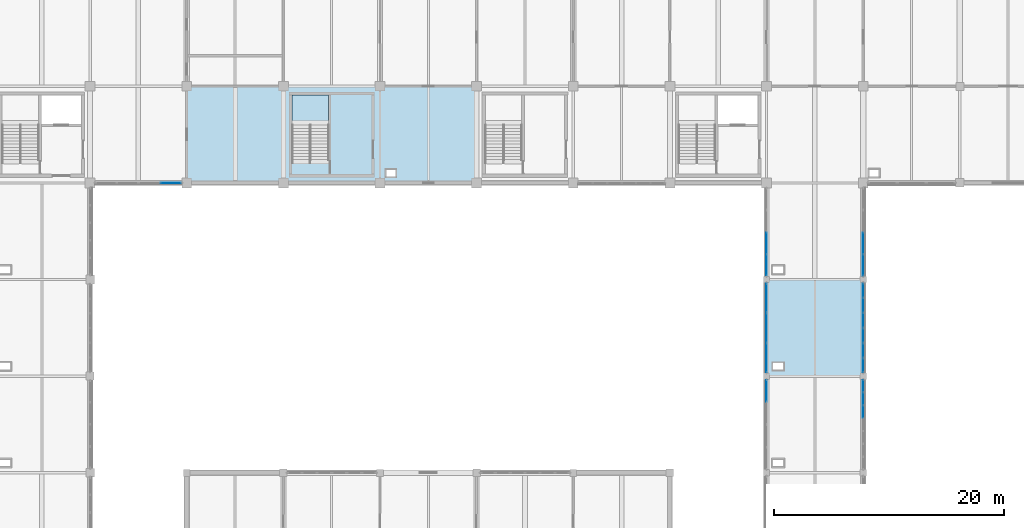
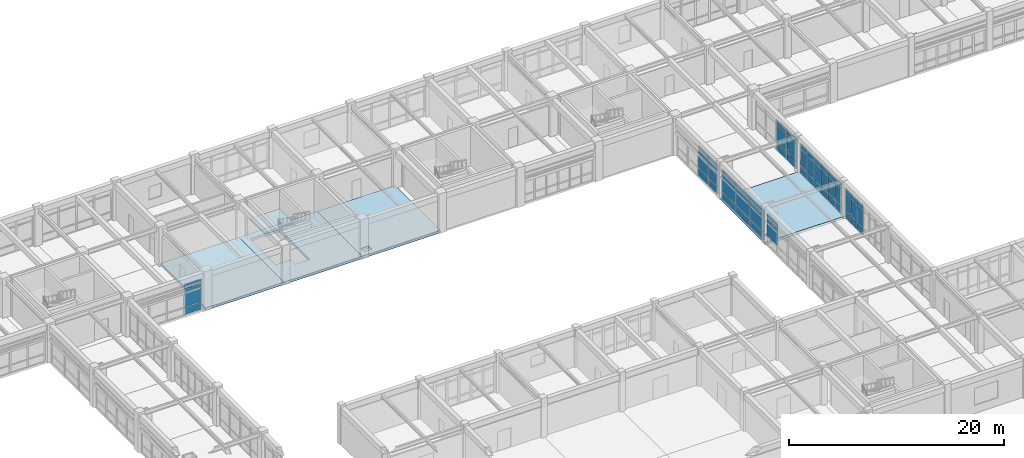
# One storey, part 51 of 78: 53 plates, 5 slabs, 8 elements without a shape of their own.
"""IFC4 building model written with IfcOpenShell, lengths in metres."""

from ifc_helpers import new_model, si_unit, direction, frame, origin, origin_2d, place, context, subcontext, project, spatial, polyline, rectangle, outline, extrude, material, layer, layer_set, type_object, element, aggregate, save


model = new_model("IFC4")

# Units and contexts
model_context = context("Model", 3, precision=1e-05, world=origin(), true_north=direction((0.0, 1.0)))
body_context = subcontext(model_context, "Body", "Model", "MODEL_VIEW")
ifc_project = project(units=[si_unit("LENGTHUNIT", "METRE"), si_unit("AREAUNIT", "SQUARE_METRE"), si_unit("VOLUMEUNIT", "CUBIC_METRE"), si_unit("PLANEANGLEUNIT", "RADIAN"), si_unit("MASSUNIT", "GRAM", prefix="KILO")], contexts=[model_context])

# Site, building, storey
site_placement = place(None, origin())
site = spatial("IfcSite", under=ifc_project, at=site_placement, CompositionType="ELEMENT")
building_placement = place(site_placement, origin())
building = spatial("IfcBuilding", under=site, at=building_placement, Name="Porcellanite Civic Hall", CompositionType="ELEMENT")
storey_placement = place(building_placement, frame((0.0, 0.0, 10.260009765625)))
storey = spatial("IfcBuildingStorey", under=building, at=storey_placement, Name="L02", CompositionType="ELEMENT", Elevation=10.260009765625)

# Curtain wall, plates
ifc_material_1 = material(Name="Anodised aluminium and solar laminated glass", Category="aluminium")
ifc_layer_1 = layer(ifc_material_1, 0.179931640625)
ifc_layer_set_1 = layer_set([ifc_layer_1], Name="Anodised aluminium and solar laminated glass")
curtain_wall_type_1 = type_object("IfcCurtainWallType", Name="CW-SYS04", PredefinedType="NOTDEFINED", material=ifc_layer_set_1)
curtain_wall_1_placement = place(storey_placement, origin())
curtain_wall_1 = element("IfcCurtainWall", 1, at=curtain_wall_1_placement, inside=storey, type_object=curtain_wall_type_1, Name="Curtain wall CW-151", PredefinedType="NOTDEFINED")
ifc_material_2 = material(Name="Cyclone laminated solar-control low-E glass", Category="glass")
ifc_layer_2 = layer(ifc_material_2, 0.02587890625)
ifc_layer_set_2 = layer_set([ifc_layer_2], Name="Cyclone laminated solar-control low-E glass")
plate_type_1 = type_object("IfcPlateType", Name="CWP-02", PredefinedType="CURTAIN_PANEL", material=ifc_layer_set_2)
plate_1_placement = place(storey_placement, frame((65.811767578125, 100.800048828125, 0.054931640625), z_axis=(0.0, 0.0, 1.0), x_axis=(-1.0, 0.0, 0.0)))
plate_1 = element("IfcPlate", 2, at=plate_1_placement, type_object=plate_type_1, Name="CW-151 panel 1.1", PredefinedType="CURTAIN_PANEL", context=body_context, shape_type="SweptSolid", body=[
    extrude(rectangle(XDim=1.7744140625, YDim=0.02587890625, at=origin_2d()), origin(), (0.0, 0.0, 1.0), 0.8173828125),
])
plate_2_placement = place(storey_placement, frame((65.811767578125, 100.800048828125, 0.927490234375), z_axis=(0.0, 0.0, 1.0), x_axis=(-1.0, 0.0, 0.0)))
plate_2 = element("IfcPlate", 3, at=plate_2_placement, type_object=plate_type_1, Name="CW-151 panel 1.2", PredefinedType="CURTAIN_PANEL", context=body_context, shape_type="SweptSolid", body=[
    extrude(rectangle(XDim=1.7744140625, YDim=0.02587890625, at=origin_2d()), origin(), (0.0, 0.0, 1.0), 1.93505859375),
])
plate_3_placement = place(storey_placement, frame((65.811767578125, 100.800048828125, 2.91748046875), z_axis=(0.0, 0.0, 1.0), x_axis=(-1.0, 0.0, 0.0)))
plate_3 = element("IfcPlate", 4, at=plate_3_placement, type_object=plate_type_1, Name="CW-151 panel 1.3", PredefinedType="CURTAIN_PANEL", context=body_context, shape_type="SweptSolid", body=[
    extrude(rectangle(XDim=1.7744140625, YDim=0.02587890625, at=origin_2d()), origin(), (0.0, 0.0, 1.0), 0.5673828125),
])
aggregate(curtain_wall_1, [plate_1, plate_2, plate_3])

ifc_material_3 = material(Name="Anodised aluminium and solar laminated glass", Category="aluminium")
ifc_layer_3 = layer(ifc_material_3, 0.179931640625)
ifc_layer_set_3 = layer_set([ifc_layer_3], Name="Anodised aluminium and solar laminated glass")
curtain_wall_type_2 = type_object("IfcCurtainWallType", Name="CW-SYS06", PredefinedType="NOTDEFINED", material=ifc_layer_set_3)
curtain_wall_2_placement = place(storey_placement, origin())
curtain_wall_2 = element("IfcCurtainWall", 5, at=curtain_wall_2_placement, inside=storey, type_object=curtain_wall_type_2, Name="Curtain wall CW-164", PredefinedType="NOTDEFINED")
ifc_material_4 = material(Name="Cyclone laminated solar-control low-E glass", Category="glass")
ifc_layer_4 = layer(ifc_material_4, 0.031982421875)
ifc_layer_set_4 = layer_set([ifc_layer_4], Name="Cyclone laminated solar-control low-E glass")
plate_type_2 = type_object("IfcPlateType", Name="CWP-05", PredefinedType="CURTAIN_PANEL", material=ifc_layer_set_4)
plate_4_placement = place(storey_placement, frame((117.60009765625, 82.726806640625, 0.925048828125), z_axis=(0.0, 0.0, 1.0), x_axis=(0.0, 1.0, 0.0)))
plate_4 = element("IfcPlate", 6, at=plate_4_placement, type_object=plate_type_2, Name="CW-164 panel 4.2", PredefinedType="CURTAIN_PANEL", context=body_context, shape_type="SweptSolid", body=[
    extrude(rectangle(XDim=1.864501953125, YDim=0.031982421875, at=origin_2d()), origin(), (0.0, 0.0, 1.0), 1.93994140625),
])
plate_5_placement = place(storey_placement, frame((117.60009765625, 82.726806640625, 2.9150390625), z_axis=(0.0, 0.0, 1.0), x_axis=(0.0, 1.0, 0.0)))
plate_5 = element("IfcPlate", 7, at=plate_5_placement, type_object=plate_type_2, Name="CW-164 panel 4.3", PredefinedType="CURTAIN_PANEL", context=body_context, shape_type="SweptSolid", body=[
    extrude(rectangle(XDim=1.864501953125, YDim=0.031982421875, at=origin_2d()), origin(), (0.0, 0.0, 1.0), 0.574951171875),
])
aggregate(curtain_wall_2, [plate_4, plate_5])

ifc_material_5 = material(Name="Anodised aluminium and solar laminated glass", Category="aluminium")
ifc_layer_5 = layer(ifc_material_5, 0.179931640625)
ifc_layer_set_5 = layer_set([ifc_layer_5], Name="Anodised aluminium and solar laminated glass")
curtain_wall_type_3 = type_object("IfcCurtainWallType", Name="CW-SYS07", PredefinedType="NOTDEFINED", material=ifc_layer_set_5)
curtain_wall_3_placement = place(storey_placement, origin())
curtain_wall_3 = element("IfcCurtainWall", 8, at=curtain_wall_3_placement, inside=storey, type_object=curtain_wall_type_3, Name="Curtain wall CW-165", PredefinedType="NOTDEFINED")
ifc_material_6 = material(Name="Cyclone laminated solar-control low-E glass", Category="glass")
ifc_layer_6 = layer(ifc_material_6, 0.033935546875)
ifc_layer_set_6 = layer_set([ifc_layer_6], Name="Cyclone laminated solar-control low-E glass")
plate_type_3 = type_object("IfcPlateType", Name="CWP-06", PredefinedType="CURTAIN_PANEL", material=ifc_layer_set_6)
plate_6_placement = place(storey_placement, frame((126.0, 83.1484375, 0.0498046875), z_axis=(0.0, 0.0, 1.0), x_axis=(0.0, -1.0, 0.0)))
plate_6 = element("IfcPlate", 9, at=plate_6_placement, type_object=plate_type_3, Name="CW-165 panel 1.1", PredefinedType="CURTAIN_PANEL", context=body_context, shape_type="SweptSolid", body=[
    extrude(rectangle(XDim=1.03125, YDim=0.033935546875, at=origin_2d()), origin(), (0.0, 0.0, 1.0), 0.824951171875),
])
plate_7_placement = place(storey_placement, frame((126.0, 83.1484375, 0.925048828125), z_axis=(0.0, 0.0, 1.0), x_axis=(0.0, -1.0, 0.0)))
plate_7 = element("IfcPlate", 10, at=plate_7_placement, type_object=plate_type_3, Name="CW-165 panel 1.2", PredefinedType="CURTAIN_PANEL", context=body_context, shape_type="SweptSolid", body=[
    extrude(rectangle(XDim=1.03125, YDim=0.033935546875, at=origin_2d()), origin(), (0.0, 0.0, 1.0), 1.93994140625),
])
plate_8_placement = place(storey_placement, frame((126.0, 83.1484375, 2.9150390625), z_axis=(0.0, 0.0, 1.0), x_axis=(0.0, -1.0, 0.0)))
plate_8 = element("IfcPlate", 11, at=plate_8_placement, type_object=plate_type_3, Name="CW-165 panel 1.3", PredefinedType="CURTAIN_PANEL", context=body_context, shape_type="SweptSolid", body=[
    extrude(rectangle(XDim=1.03125, YDim=0.033935546875, at=origin_2d()), origin(), (0.0, 0.0, 1.0), 0.574951171875),
])
plate_9_placement = place(storey_placement, frame((126.0, 82.042236328125, 0.0498046875), z_axis=(0.0, 0.0, 1.0), x_axis=(0.0, -1.0, 0.0)))
plate_9 = element("IfcPlate", 12, at=plate_9_placement, type_object=plate_type_3, Name="CW-165 panel 2.1", PredefinedType="CURTAIN_PANEL", context=body_context, shape_type="SweptSolid", body=[
    extrude(rectangle(XDim=1.06103515625, YDim=0.033935546875, at=origin_2d()), origin(), (0.0, 0.0, 1.0), 0.824951171875),
])
plate_10_placement = place(storey_placement, frame((126.0, 82.042236328125, 0.925048828125), z_axis=(0.0, 0.0, 1.0), x_axis=(0.0, -1.0, 0.0)))
plate_10 = element("IfcPlate", 13, at=plate_10_placement, type_object=plate_type_3, Name="CW-165 panel 2.2", PredefinedType="CURTAIN_PANEL", context=body_context, shape_type="SweptSolid", body=[
    extrude(rectangle(XDim=1.06103515625, YDim=0.033935546875, at=origin_2d()), origin(), (0.0, 0.0, 1.0), 1.93994140625),
])
plate_11_placement = place(storey_placement, frame((126.0, 82.042236328125, 2.9150390625), z_axis=(0.0, 0.0, 1.0), x_axis=(0.0, -1.0, 0.0)))
plate_11 = element("IfcPlate", 14, at=plate_11_placement, type_object=plate_type_3, Name="CW-165 panel 2.3", PredefinedType="CURTAIN_PANEL", context=body_context, shape_type="SweptSolid", body=[
    extrude(rectangle(XDim=1.06103515625, YDim=0.033935546875, at=origin_2d()), origin(), (0.0, 0.0, 1.0), 0.574951171875),
])
plate_12_placement = place(storey_placement, frame((126.0, 80.921142578125, 0.0498046875), z_axis=(0.0, 0.0, 1.0), x_axis=(0.0, -1.0, 0.0)))
plate_12 = element("IfcPlate", 15, at=plate_12_placement, type_object=plate_type_3, Name="CW-165 panel 3.1", PredefinedType="CURTAIN_PANEL", context=body_context, shape_type="SweptSolid", body=[
    extrude(rectangle(XDim=1.06103515625, YDim=0.033935546875, at=origin_2d()), origin(), (0.0, 0.0, 1.0), 0.824951171875),
])
plate_13_placement = place(storey_placement, frame((126.0, 80.921142578125, 0.925048828125), z_axis=(0.0, 0.0, 1.0), x_axis=(0.0, -1.0, 0.0)))
plate_13 = element("IfcPlate", 16, at=plate_13_placement, type_object=plate_type_3, Name="CW-165 panel 3.2", PredefinedType="CURTAIN_PANEL", context=body_context, shape_type="SweptSolid", body=[
    extrude(rectangle(XDim=1.06103515625, YDim=0.033935546875, at=origin_2d()), origin(), (0.0, 0.0, 1.0), 1.93994140625),
])
plate_14_placement = place(storey_placement, frame((126.0, 80.921142578125, 2.9150390625), z_axis=(0.0, 0.0, 1.0), x_axis=(0.0, -1.0, 0.0)))
plate_14 = element("IfcPlate", 17, at=plate_14_placement, type_object=plate_type_3, Name="CW-165 panel 3.3", PredefinedType="CURTAIN_PANEL", context=body_context, shape_type="SweptSolid", body=[
    extrude(rectangle(XDim=1.06103515625, YDim=0.033935546875, at=origin_2d()), origin(), (0.0, 0.0, 1.0), 0.574951171875),
])
aggregate(curtain_wall_3, [plate_6, plate_7, plate_8, plate_9, plate_10, plate_11, plate_12, plate_13, plate_14])

ifc_material_7 = material(Name="Anodised aluminium and solar laminated glass", Category="aluminium")
ifc_layer_7 = layer(ifc_material_7, 0.179931640625)
ifc_layer_set_7 = layer_set([ifc_layer_7], Name="Anodised aluminium and solar laminated glass")
curtain_wall_type_4 = type_object("IfcCurtainWallType", Name="CW-SYS08", PredefinedType="NOTDEFINED", material=ifc_layer_set_7)
curtain_wall_4_placement = place(storey_placement, origin())
curtain_wall_4 = element("IfcCurtainWall", 18, at=curtain_wall_4_placement, inside=storey, type_object=curtain_wall_type_4, Name="Curtain wall CW-166", PredefinedType="NOTDEFINED")
ifc_material_8 = material(Name="Cyclone laminated solar-control low-E glass", Category="glass")
ifc_layer_8 = layer(ifc_material_8, 0.035888671875)
ifc_layer_set_8 = layer_set([ifc_layer_8], Name="Cyclone laminated solar-control low-E glass")
plate_type_4 = type_object("IfcPlateType", Name="CWP-07", PredefinedType="CURTAIN_PANEL", material=ifc_layer_set_8)
plate_15_placement = place(storey_placement, frame((117.60009765625, 85.60400390625, 0.070068359375), z_axis=(0.0, 0.0, 1.0), x_axis=(0.0, 1.0, 0.0)))
plate_15 = element("IfcPlate", 19, at=plate_15_placement, type_object=plate_type_4, Name="CW-166 panel 1.1", PredefinedType="CURTAIN_PANEL", context=body_context, shape_type="SweptSolid", body=[
    extrude(rectangle(XDim=2.49609375, YDim=0.035888671875, at=origin_2d()), origin(), (0.0, 0.0, 1.0), 0.794921875),
])
plate_16_placement = place(storey_placement, frame((117.60009765625, 85.60400390625, 0.93505859375), z_axis=(0.0, 0.0, 1.0), x_axis=(0.0, 1.0, 0.0)))
plate_16 = element("IfcPlate", 20, at=plate_16_placement, type_object=plate_type_4, Name="CW-166 panel 1.2", PredefinedType="CURTAIN_PANEL", context=body_context, shape_type="SweptSolid", body=[
    extrude(rectangle(XDim=2.49609375, YDim=0.035888671875, at=origin_2d()), origin(), (0.0, 0.0, 1.0), 1.919921875),
])
plate_17_placement = place(storey_placement, frame((117.60009765625, 85.60400390625, 2.925048828125), z_axis=(0.0, 0.0, 1.0), x_axis=(0.0, 1.0, 0.0)))
plate_17 = element("IfcPlate", 21, at=plate_17_placement, type_object=plate_type_4, Name="CW-166 panel 1.3", PredefinedType="CURTAIN_PANEL", context=body_context, shape_type="SweptSolid", body=[
    extrude(rectangle(XDim=2.49609375, YDim=0.035888671875, at=origin_2d()), origin(), (0.0, 0.0, 1.0), 0.544921875),
])
plate_18_placement = place(storey_placement, frame((117.60009765625, 88.199951171875, 0.070068359375), z_axis=(0.0, 0.0, 1.0), x_axis=(0.0, 1.0, 0.0)))
plate_18 = element("IfcPlate", 22, at=plate_18_placement, type_object=plate_type_4, Name="CW-166 panel 2.1", PredefinedType="CURTAIN_PANEL", context=body_context, shape_type="SweptSolid", body=[
    extrude(rectangle(XDim=2.535888671875, YDim=0.035888671875, at=origin_2d()), origin(), (0.0, 0.0, 1.0), 0.794921875),
])
plate_19_placement = place(storey_placement, frame((117.60009765625, 88.199951171875, 0.93505859375), z_axis=(0.0, 0.0, 1.0), x_axis=(0.0, 1.0, 0.0)))
plate_19 = element("IfcPlate", 23, at=plate_19_placement, type_object=plate_type_4, Name="CW-166 panel 2.2", PredefinedType="CURTAIN_PANEL", context=body_context, shape_type="SweptSolid", body=[
    extrude(rectangle(XDim=2.535888671875, YDim=0.035888671875, at=origin_2d()), origin(), (0.0, 0.0, 1.0), 1.919921875),
])
plate_20_placement = place(storey_placement, frame((117.60009765625, 88.199951171875, 2.925048828125), z_axis=(0.0, 0.0, 1.0), x_axis=(0.0, 1.0, 0.0)))
plate_20 = element("IfcPlate", 24, at=plate_20_placement, type_object=plate_type_4, Name="CW-166 panel 2.3", PredefinedType="CURTAIN_PANEL", context=body_context, shape_type="SweptSolid", body=[
    extrude(rectangle(XDim=2.535888671875, YDim=0.035888671875, at=origin_2d()), origin(), (0.0, 0.0, 1.0), 0.544921875),
])
plate_21_placement = place(storey_placement, frame((117.60009765625, 90.7958984375, 0.070068359375), z_axis=(0.0, 0.0, 1.0), x_axis=(0.0, 1.0, 0.0)))
plate_21 = element("IfcPlate", 25, at=plate_21_placement, type_object=plate_type_4, Name="CW-166 panel 3.1", PredefinedType="CURTAIN_PANEL", context=body_context, shape_type="SweptSolid", body=[
    extrude(rectangle(XDim=2.49609375, YDim=0.035888671875, at=origin_2d()), origin(), (0.0, 0.0, 1.0), 0.794921875),
])
plate_22_placement = place(storey_placement, frame((117.60009765625, 90.7958984375, 0.93505859375), z_axis=(0.0, 0.0, 1.0), x_axis=(0.0, 1.0, 0.0)))
plate_22 = element("IfcPlate", 26, at=plate_22_placement, type_object=plate_type_4, Name="CW-166 panel 3.2", PredefinedType="CURTAIN_PANEL", context=body_context, shape_type="SweptSolid", body=[
    extrude(rectangle(XDim=2.49609375, YDim=0.035888671875, at=origin_2d()), origin(), (0.0, 0.0, 1.0), 1.919921875),
])
plate_23_placement = place(storey_placement, frame((117.60009765625, 90.7958984375, 2.925048828125), z_axis=(0.0, 0.0, 1.0), x_axis=(0.0, 1.0, 0.0)))
plate_23 = element("IfcPlate", 27, at=plate_23_placement, type_object=plate_type_4, Name="CW-166 panel 3.3", PredefinedType="CURTAIN_PANEL", context=body_context, shape_type="SweptSolid", body=[
    extrude(rectangle(XDim=2.49609375, YDim=0.035888671875, at=origin_2d()), origin(), (0.0, 0.0, 1.0), 0.544921875),
])
aggregate(curtain_wall_4, [plate_15, plate_16, plate_17, plate_18, plate_19, plate_20, plate_21, plate_22, plate_23])

ifc_material_9 = material(Name="Anodised aluminium and solar laminated glass", Category="aluminium")
ifc_layer_9 = layer(ifc_material_9, 0.179931640625)
ifc_layer_set_9 = layer_set([ifc_layer_9], Name="Anodised aluminium and solar laminated glass")
curtain_wall_type_5 = type_object("IfcCurtainWallType", Name="CW-SYS01", PredefinedType="NOTDEFINED", material=ifc_layer_set_9)
curtain_wall_5_placement = place(storey_placement, origin())
curtain_wall_5 = element("IfcCurtainWall", 28, at=curtain_wall_5_placement, inside=storey, type_object=curtain_wall_type_5, Name="Curtain wall CW-167", PredefinedType="NOTDEFINED")
ifc_material_10 = material(Name="Insulated ochre aluminium spandrel panel", Category="aluminium")
ifc_layer_10 = layer(ifc_material_10, 0.0380859375)
ifc_layer_set_10 = layer_set([ifc_layer_10], Name="Insulated ochre aluminium spandrel panel")
plate_type_5 = type_object("IfcPlateType", Name="CWP-08", PredefinedType="CURTAIN_PANEL", material=ifc_layer_set_10)
plate_24_placement = place(storey_placement, frame((126.0, 91.452392578125, 0.06005859375), z_axis=(0.0, 0.0, 1.0), x_axis=(0.0, -1.0, 0.0)))
plate_24 = element("IfcPlate", 29, at=plate_24_placement, type_object=plate_type_5, Name="CW-167 panel 1.1", PredefinedType="CURTAIN_PANEL", context=body_context, shape_type="SweptSolid", body=[
    extrude(rectangle(XDim=1.202880859375, YDim=0.0380859375, at=origin_2d()), origin(), (0.0, 0.0, 1.0), 0.81005859375),
])
plate_25_placement = place(storey_placement, frame((126.0, 91.452392578125, 0.93017578125), z_axis=(0.0, 0.0, 1.0), x_axis=(0.0, -1.0, 0.0)))
plate_25 = element("IfcPlate", 30, at=plate_25_placement, type_object=plate_type_5, Name="CW-167 panel 1.2", PredefinedType="CURTAIN_PANEL", context=body_context, shape_type="SweptSolid", body=[
    extrude(rectangle(XDim=1.202880859375, YDim=0.0380859375, at=origin_2d()), origin(), (0.0, 0.0, 1.0), 1.929931640625),
])
plate_26_placement = place(storey_placement, frame((126.0, 91.452392578125, 2.919921875), z_axis=(0.0, 0.0, 1.0), x_axis=(0.0, -1.0, 0.0)))
plate_26 = element("IfcPlate", 31, at=plate_26_placement, type_object=plate_type_5, Name="CW-167 panel 1.3", PredefinedType="CURTAIN_PANEL", context=body_context, shape_type="SweptSolid", body=[
    extrude(rectangle(XDim=1.202880859375, YDim=0.0380859375, at=origin_2d()), origin(), (0.0, 0.0, 1.0), 0.56005859375),
])
plate_27_placement = place(storey_placement, frame((126.0, 90.162109375, 0.06005859375), z_axis=(0.0, 0.0, 1.0), x_axis=(0.0, -1.0, 0.0)))
plate_27 = element("IfcPlate", 32, at=plate_27_placement, type_object=plate_type_5, Name="CW-167 panel 2.1", PredefinedType="CURTAIN_PANEL", context=body_context, shape_type="SweptSolid", body=[
    extrude(rectangle(XDim=1.238037109375, YDim=0.0380859375, at=origin_2d()), origin(), (0.0, 0.0, 1.0), 0.81005859375),
])
plate_28_placement = place(storey_placement, frame((126.0, 90.162109375, 0.93017578125), z_axis=(0.0, 0.0, 1.0), x_axis=(0.0, -1.0, 0.0)))
plate_28 = element("IfcPlate", 33, at=plate_28_placement, type_object=plate_type_5, Name="CW-167 panel 2.2", PredefinedType="CURTAIN_PANEL", context=body_context, shape_type="SweptSolid", body=[
    extrude(rectangle(XDim=1.238037109375, YDim=0.0380859375, at=origin_2d()), origin(), (0.0, 0.0, 1.0), 1.929931640625),
])
plate_29_placement = place(storey_placement, frame((126.0, 90.162109375, 2.919921875), z_axis=(0.0, 0.0, 1.0), x_axis=(0.0, -1.0, 0.0)))
plate_29 = element("IfcPlate", 34, at=plate_29_placement, type_object=plate_type_5, Name="CW-167 panel 2.3", PredefinedType="CURTAIN_PANEL", context=body_context, shape_type="SweptSolid", body=[
    extrude(rectangle(XDim=1.238037109375, YDim=0.0380859375, at=origin_2d()), origin(), (0.0, 0.0, 1.0), 0.56005859375),
])
plate_30_placement = place(storey_placement, frame((126.0, 88.85400390625, 0.06005859375), z_axis=(0.0, 0.0, 1.0), x_axis=(0.0, -1.0, 0.0)))
plate_30 = element("IfcPlate", 35, at=plate_30_placement, type_object=plate_type_5, Name="CW-167 panel 3.1", PredefinedType="CURTAIN_PANEL", context=body_context, shape_type="SweptSolid", body=[
    extrude(rectangle(XDim=1.238037109375, YDim=0.0380859375, at=origin_2d()), origin(), (0.0, 0.0, 1.0), 0.81005859375),
])
plate_31_placement = place(storey_placement, frame((126.0, 88.85400390625, 0.93017578125), z_axis=(0.0, 0.0, 1.0), x_axis=(0.0, -1.0, 0.0)))
plate_31 = element("IfcPlate", 36, at=plate_31_placement, type_object=plate_type_5, Name="CW-167 panel 3.2", PredefinedType="CURTAIN_PANEL", context=body_context, shape_type="SweptSolid", body=[
    extrude(rectangle(XDim=1.238037109375, YDim=0.0380859375, at=origin_2d()), origin(), (0.0, 0.0, 1.0), 1.929931640625),
])
plate_32_placement = place(storey_placement, frame((126.0, 88.85400390625, 2.919921875), z_axis=(0.0, 0.0, 1.0), x_axis=(0.0, -1.0, 0.0)))
plate_32 = element("IfcPlate", 37, at=plate_32_placement, type_object=plate_type_5, Name="CW-167 panel 3.3", PredefinedType="CURTAIN_PANEL", context=body_context, shape_type="SweptSolid", body=[
    extrude(rectangle(XDim=1.238037109375, YDim=0.0380859375, at=origin_2d()), origin(), (0.0, 0.0, 1.0), 0.56005859375),
])
plate_33_placement = place(storey_placement, frame((126.0, 87.5458984375, 0.06005859375), z_axis=(0.0, 0.0, 1.0), x_axis=(0.0, -1.0, 0.0)))
plate_33 = element("IfcPlate", 38, at=plate_33_placement, type_object=plate_type_5, Name="CW-167 panel 4.1", PredefinedType="CURTAIN_PANEL", context=body_context, shape_type="SweptSolid", body=[
    extrude(rectangle(XDim=1.238037109375, YDim=0.0380859375, at=origin_2d()), origin(), (0.0, 0.0, 1.0), 0.81005859375),
])
plate_34_placement = place(storey_placement, frame((126.0, 87.5458984375, 0.93017578125), z_axis=(0.0, 0.0, 1.0), x_axis=(0.0, -1.0, 0.0)))
plate_34 = element("IfcPlate", 39, at=plate_34_placement, type_object=plate_type_5, Name="CW-167 panel 4.2", PredefinedType="CURTAIN_PANEL", context=body_context, shape_type="SweptSolid", body=[
    extrude(rectangle(XDim=1.238037109375, YDim=0.0380859375, at=origin_2d()), origin(), (0.0, 0.0, 1.0), 1.929931640625),
])
plate_35_placement = place(storey_placement, frame((126.0, 87.5458984375, 2.919921875), z_axis=(0.0, 0.0, 1.0), x_axis=(0.0, -1.0, 0.0)))
plate_35 = element("IfcPlate", 40, at=plate_35_placement, type_object=plate_type_5, Name="CW-167 panel 4.3", PredefinedType="CURTAIN_PANEL", context=body_context, shape_type="SweptSolid", body=[
    extrude(rectangle(XDim=1.238037109375, YDim=0.0380859375, at=origin_2d()), origin(), (0.0, 0.0, 1.0), 0.56005859375),
])
plate_36_placement = place(storey_placement, frame((126.0, 86.238037109375, 0.06005859375), z_axis=(0.0, 0.0, 1.0), x_axis=(0.0, -1.0, 0.0)))
plate_36 = element("IfcPlate", 41, at=plate_36_placement, type_object=plate_type_5, Name="CW-167 panel 5.1", PredefinedType="CURTAIN_PANEL", context=body_context, shape_type="SweptSolid", body=[
    extrude(rectangle(XDim=1.238037109375, YDim=0.0380859375, at=origin_2d()), origin(), (0.0, 0.0, 1.0), 0.81005859375),
])
plate_37_placement = place(storey_placement, frame((126.0, 86.238037109375, 0.93017578125), z_axis=(0.0, 0.0, 1.0), x_axis=(0.0, -1.0, 0.0)))
plate_37 = element("IfcPlate", 42, at=plate_37_placement, type_object=plate_type_5, Name="CW-167 panel 5.2", PredefinedType="CURTAIN_PANEL", context=body_context, shape_type="SweptSolid", body=[
    extrude(rectangle(XDim=1.238037109375, YDim=0.0380859375, at=origin_2d()), origin(), (0.0, 0.0, 1.0), 1.929931640625),
])
plate_38_placement = place(storey_placement, frame((126.0, 86.238037109375, 2.919921875), z_axis=(0.0, 0.0, 1.0), x_axis=(0.0, -1.0, 0.0)))
plate_38 = element("IfcPlate", 43, at=plate_38_placement, type_object=plate_type_5, Name="CW-167 panel 5.3", PredefinedType="CURTAIN_PANEL", context=body_context, shape_type="SweptSolid", body=[
    extrude(rectangle(XDim=1.238037109375, YDim=0.0380859375, at=origin_2d()), origin(), (0.0, 0.0, 1.0), 0.56005859375),
])
plate_39_placement = place(storey_placement, frame((126.0, 84.947509765625, 0.06005859375), z_axis=(0.0, 0.0, 1.0), x_axis=(0.0, -1.0, 0.0)))
plate_39 = element("IfcPlate", 44, at=plate_39_placement, type_object=plate_type_5, Name="CW-167 panel 6.1", PredefinedType="CURTAIN_PANEL", context=body_context, shape_type="SweptSolid", body=[
    extrude(rectangle(XDim=1.202880859375, YDim=0.0380859375, at=origin_2d()), origin(), (0.0, 0.0, 1.0), 0.81005859375),
])
plate_40_placement = place(storey_placement, frame((126.0, 84.947509765625, 0.93017578125), z_axis=(0.0, 0.0, 1.0), x_axis=(0.0, -1.0, 0.0)))
plate_40 = element("IfcPlate", 45, at=plate_40_placement, type_object=plate_type_5, Name="CW-167 panel 6.2", PredefinedType="CURTAIN_PANEL", context=body_context, shape_type="SweptSolid", body=[
    extrude(rectangle(XDim=1.202880859375, YDim=0.0380859375, at=origin_2d()), origin(), (0.0, 0.0, 1.0), 1.929931640625),
])
plate_41_placement = place(storey_placement, frame((126.0, 84.947509765625, 2.919921875), z_axis=(0.0, 0.0, 1.0), x_axis=(0.0, -1.0, 0.0)))
plate_41 = element("IfcPlate", 46, at=plate_41_placement, type_object=plate_type_5, Name="CW-167 panel 6.3", PredefinedType="CURTAIN_PANEL", context=body_context, shape_type="SweptSolid", body=[
    extrude(rectangle(XDim=1.202880859375, YDim=0.0380859375, at=origin_2d()), origin(), (0.0, 0.0, 1.0), 0.56005859375),
])
aggregate(curtain_wall_5, [plate_24, plate_25, plate_26, plate_27, plate_28, plate_29, plate_30, plate_31, plate_32, plate_33, plate_34, plate_35, plate_36, plate_37, plate_38, plate_39, plate_40, plate_41])

ifc_material_11 = material(Name="Anodised aluminium and solar laminated glass", Category="aluminium")
ifc_layer_11 = layer(ifc_material_11, 0.179931640625)
ifc_layer_set_11 = layer_set([ifc_layer_11], Name="Anodised aluminium and solar laminated glass")
curtain_wall_type_6 = type_object("IfcCurtainWallType", Name="CW-SYS03", PredefinedType="NOTDEFINED", material=ifc_layer_set_11)
curtain_wall_6_placement = place(storey_placement, origin())
curtain_wall_6 = element("IfcCurtainWall", 47, at=curtain_wall_6_placement, inside=storey, type_object=curtain_wall_type_6, Name="Curtain wall CW-168", PredefinedType="NOTDEFINED")
ifc_material_12 = material(Name="Insulated ochre aluminium spandrel panel", Category="aluminium")
ifc_layer_12 = layer(ifc_material_12, 0.0419921875)
ifc_layer_set_12 = layer_set([ifc_layer_12], Name="Insulated ochre aluminium spandrel panel")
plate_type_6 = type_object("IfcPlateType", Name="CWP-09", PredefinedType="CURTAIN_PANEL", material=ifc_layer_set_12)
plate_42_placement = place(storey_placement, frame((117.60009765625, 93.658203125, 0.054931640625), z_axis=(0.0, 0.0, 1.0), x_axis=(0.0, 1.0, 0.0)))
plate_42 = element("IfcPlate", 48, at=plate_42_placement, type_object=plate_type_6, Name="CW-168 panel 1.1", PredefinedType="CURTAIN_PANEL", context=body_context, shape_type="SweptSolid", body=[
    extrude(rectangle(XDim=1.804443359375, YDim=0.0419921875, at=origin_2d()), origin(), (0.0, 0.0, 1.0), 0.8173828125),
])
plate_43_placement = place(storey_placement, frame((117.60009765625, 93.658203125, 0.927490234375), z_axis=(0.0, 0.0, 1.0), x_axis=(0.0, 1.0, 0.0)))
plate_43 = element("IfcPlate", 49, at=plate_43_placement, type_object=plate_type_6, Name="CW-168 panel 1.2", PredefinedType="CURTAIN_PANEL", context=body_context, shape_type="SweptSolid", body=[
    extrude(rectangle(XDim=1.804443359375, YDim=0.0419921875, at=origin_2d()), origin(), (0.0, 0.0, 1.0), 1.93505859375),
])
plate_44_placement = place(storey_placement, frame((117.60009765625, 93.658203125, 2.91748046875), z_axis=(0.0, 0.0, 1.0), x_axis=(0.0, 1.0, 0.0)))
plate_44 = element("IfcPlate", 50, at=plate_44_placement, type_object=plate_type_6, Name="CW-168 panel 1.3", PredefinedType="CURTAIN_PANEL", context=body_context, shape_type="SweptSolid", body=[
    extrude(rectangle(XDim=1.804443359375, YDim=0.0419921875, at=origin_2d()), origin(), (0.0, 0.0, 1.0), 0.5673828125),
])
plate_45_placement = place(storey_placement, frame((117.60009765625, 95.562744140625, 0.054931640625), z_axis=(0.0, 0.0, 1.0), x_axis=(0.0, 1.0, 0.0)))
plate_45 = element("IfcPlate", 51, at=plate_45_placement, type_object=plate_type_6, Name="CW-168 panel 2.1", PredefinedType="CURTAIN_PANEL", context=body_context, shape_type="SweptSolid", body=[
    extrude(rectangle(XDim=1.844482421875, YDim=0.0419921875, at=origin_2d()), origin(), (0.0, 0.0, 1.0), 0.8173828125),
])
plate_46_placement = place(storey_placement, frame((117.60009765625, 95.562744140625, 0.927490234375), z_axis=(0.0, 0.0, 1.0), x_axis=(0.0, 1.0, 0.0)))
plate_46 = element("IfcPlate", 52, at=plate_46_placement, type_object=plate_type_6, Name="CW-168 panel 2.2", PredefinedType="CURTAIN_PANEL", context=body_context, shape_type="SweptSolid", body=[
    extrude(rectangle(XDim=1.844482421875, YDim=0.0419921875, at=origin_2d()), origin(), (0.0, 0.0, 1.0), 1.93505859375),
])
plate_47_placement = place(storey_placement, frame((117.60009765625, 95.562744140625, 2.91748046875), z_axis=(0.0, 0.0, 1.0), x_axis=(0.0, 1.0, 0.0)))
plate_47 = element("IfcPlate", 53, at=plate_47_placement, type_object=plate_type_6, Name="CW-168 panel 2.3", PredefinedType="CURTAIN_PANEL", context=body_context, shape_type="SweptSolid", body=[
    extrude(rectangle(XDim=1.844482421875, YDim=0.0419921875, at=origin_2d()), origin(), (0.0, 0.0, 1.0), 0.5673828125),
])
aggregate(curtain_wall_6, [plate_42, plate_43, plate_44, plate_45, plate_46, plate_47])

curtain_wall_7_placement = place(storey_placement, origin())
curtain_wall_7 = element("IfcCurtainWall", 54, at=curtain_wall_7_placement, inside=storey, type_object=curtain_wall_type_1, Name="Curtain wall CW-169", PredefinedType="NOTDEFINED")
ifc_material_13 = material(Name="Insulated ochre aluminium spandrel panel", Category="aluminium")
ifc_layer_13 = layer(ifc_material_13, 0.0458984375)
ifc_layer_set_13 = layer_set([ifc_layer_13], Name="Insulated ochre aluminium spandrel panel")
plate_type_7 = type_object("IfcPlateType", Name="CWP-10", PredefinedType="CURTAIN_PANEL", material=ifc_layer_set_13)
plate_48_placement = place(storey_placement, frame((126.0, 95.562744140625, 0.054931640625), z_axis=(0.0, 0.0, 1.0), x_axis=(0.0, -1.0, 0.0)))
plate_48 = element("IfcPlate", 55, at=plate_48_placement, type_object=plate_type_7, Name="CW-169 panel 3.1", PredefinedType="CURTAIN_PANEL", context=body_context, shape_type="SweptSolid", body=[
    extrude(rectangle(XDim=1.849609375, YDim=0.0458984375, at=origin_2d()), origin(), (0.0, 0.0, 1.0), 0.8173828125),
])
plate_49_placement = place(storey_placement, frame((126.0, 95.562744140625, 0.927490234375), z_axis=(0.0, 0.0, 1.0), x_axis=(0.0, -1.0, 0.0)))
plate_49 = element("IfcPlate", 56, at=plate_49_placement, type_object=plate_type_7, Name="CW-169 panel 3.2", PredefinedType="CURTAIN_PANEL", context=body_context, shape_type="SweptSolid", body=[
    extrude(rectangle(XDim=1.849609375, YDim=0.0458984375, at=origin_2d()), origin(), (0.0, 0.0, 1.0), 1.93505859375),
])
plate_50_placement = place(storey_placement, frame((126.0, 95.562744140625, 2.91748046875), z_axis=(0.0, 0.0, 1.0), x_axis=(0.0, -1.0, 0.0)))
plate_50 = element("IfcPlate", 57, at=plate_50_placement, type_object=plate_type_7, Name="CW-169 panel 3.3", PredefinedType="CURTAIN_PANEL", context=body_context, shape_type="SweptSolid", body=[
    extrude(rectangle(XDim=1.849609375, YDim=0.0458984375, at=origin_2d()), origin(), (0.0, 0.0, 1.0), 0.5673828125),
])
plate_51_placement = place(storey_placement, frame((126.0, 93.656982421875, 0.054931640625), z_axis=(0.0, 0.0, 1.0), x_axis=(0.0, -1.0, 0.0)))
plate_51 = element("IfcPlate", 58, at=plate_51_placement, type_object=plate_type_7, Name="CW-169 panel 4.1", PredefinedType="CURTAIN_PANEL", context=body_context, shape_type="SweptSolid", body=[
    extrude(rectangle(XDim=1.81201171875, YDim=0.0458984375, at=origin_2d()), origin(), (0.0, 0.0, 1.0), 0.8173828125),
])
plate_52_placement = place(storey_placement, frame((126.0, 93.656982421875, 0.927490234375), z_axis=(0.0, 0.0, 1.0), x_axis=(0.0, -1.0, 0.0)))
plate_52 = element("IfcPlate", 59, at=plate_52_placement, type_object=plate_type_7, Name="CW-169 panel 4.2", PredefinedType="CURTAIN_PANEL", context=body_context, shape_type="SweptSolid", body=[
    extrude(rectangle(XDim=1.81201171875, YDim=0.0458984375, at=origin_2d()), origin(), (0.0, 0.0, 1.0), 1.93505859375),
])
plate_53_placement = place(storey_placement, frame((126.0, 93.656982421875, 2.91748046875), z_axis=(0.0, 0.0, 1.0), x_axis=(0.0, -1.0, 0.0)))
plate_53 = element("IfcPlate", 60, at=plate_53_placement, type_object=plate_type_7, Name="CW-169 panel 4.3", PredefinedType="CURTAIN_PANEL", context=body_context, shape_type="SweptSolid", body=[
    extrude(rectangle(XDim=1.81201171875, YDim=0.0458984375, at=origin_2d()), origin(), (0.0, 0.0, 1.0), 0.5673828125),
])
aggregate(curtain_wall_7, [plate_48, plate_49, plate_50, plate_51, plate_52, plate_53])

# Stair, slab
ifc_material_14 = material(Name="Concrete N40 (40 MPa)", Category="concrete")
stair_type = type_object("IfcStairType", Name="STR-HT25", PredefinedType="HALF_TURN_STAIR", material=ifc_material_14)
stair_placement = place(storey_placement, origin())
stair = element("IfcStair", 61, at=stair_placement, inside=storey, type_object=stair_type, Name="Fire stair ST-09 L02", PredefinedType="HALF_TURN_STAIR")
ifc_material_15 = material(Name="Concrete N40 (40 MPa)", Category="concrete")
ifc_layer_14 = layer(ifc_material_15, 0.179931640625)
ifc_layer_set_14 = layer_set([ifc_layer_14], Name="Concrete N40 (40 MPa)")
slab_type_1 = type_object("IfcSlabType", Name="LND-18", PredefinedType="LANDING", material=ifc_layer_set_14)
slab_1_placement = place(storey_placement, frame((0.0, 0.0, 2.159912109375)))
slab_1 = element("IfcSlab", 62, at=slab_1_placement, type_object=slab_type_1, Name="ST-09 landing 1", PredefinedType="LANDING", context=body_context, shape_type="SweptSolid", body=[
    extrude(outline(polyline([(76.360595703125, 105.824951171875), (79.51953125, 105.824951171875), (79.51953125, 108.439453125), (76.360595703125, 108.439453125), (76.360595703125, 105.824951171875)])), origin(), (0.0, 0.0, 1.0), 0.18017578125),
])
aggregate(stair, [slab_1])

# Slabs
ifc_material_16 = material(Name="Concrete N40 (40 MPa)", Category="concrete")
ifc_layer_15 = layer(ifc_material_16, 0.280029296875)
ifc_layer_set_15 = layer_set([ifc_layer_15], Name="Concrete N40 (40 MPa)")
slab_type_2 = type_object("IfcSlabType", Name="SL-FL280", PredefinedType="FLOOR", material=ifc_layer_set_15)
slab_2_placement = place(storey_placement, frame((0.0, 0.0, -0.280029296875)))
element("IfcSlab", 63, at=slab_2_placement, inside=storey, type_object=slab_type_2, Name="Slab L02 bay 9-13", PredefinedType="FLOOR", context=body_context, shape_type="SweptSolid", body=[
    extrude(outline(polyline([(67.199951171875, 100.800048828125), (75.60009765625, 100.800048828125), (75.60009765625, 109.199951171875), (67.199951171875, 109.199951171875), (67.199951171875, 100.800048828125)])), origin(), (0.0, 0.0, 1.0), 0.280029296875),
])
slab_3_placement = place(storey_placement, frame((0.0, 0.0, -0.280029296875)))
element("IfcSlab", 64, at=slab_3_placement, inside=storey, type_object=slab_type_2, Name="Slab L02 bay 10-13", PredefinedType="FLOOR", context=body_context, shape_type="SweptSolid", body=[
    extrude(outline(polyline([(75.60009765625, 100.800048828125), (84.0, 100.800048828125), (84.0, 109.199951171875), (75.60009765625, 109.199951171875), (75.60009765625, 100.800048828125)]), holes=[polyline([(76.3798828125, 103.64990234375), (77.9599609375, 103.64990234375), (77.9599609375, 102.800048828125), (79.52001953125, 102.800048828125), (79.52001953125, 108.419921875), (76.3798828125, 108.419921875), (76.3798828125, 103.64990234375)])]), origin(), (0.0, 0.0, 1.0), 0.280029296875),
])
slab_4_placement = place(storey_placement, frame((0.0, 0.0, -0.280029296875)))
element("IfcSlab", 65, at=slab_4_placement, inside=storey, type_object=slab_type_2, Name="Slab L02 bay 11-13", PredefinedType="FLOOR", context=body_context, shape_type="SweptSolid", body=[
    extrude(outline(polyline([(84.0, 100.800048828125), (92.39990234375, 100.800048828125), (92.39990234375, 109.199951171875), (84.0, 109.199951171875), (84.0, 100.800048828125)]), holes=[polyline([(84.550048828125, 101.35009765625), (85.35009765625, 101.35009765625), (85.35009765625, 101.949951171875), (84.550048828125, 101.949951171875), (84.550048828125, 101.35009765625)])]), origin(), (0.0, 0.0, 1.0), 0.280029296875),
])
slab_5_placement = place(storey_placement, frame((0.0, 0.0, -0.280029296875)))
element("IfcSlab", 66, at=slab_5_placement, inside=storey, type_object=slab_type_2, Name="Slab L02 bay 15-11", PredefinedType="FLOOR", context=body_context, shape_type="SweptSolid", body=[
    extrude(outline(polyline([(117.60009765625, 84.0), (126.0, 84.0), (126.0, 92.39990234375), (117.60009765625, 92.39990234375), (117.60009765625, 84.0)]), holes=[polyline([(118.14990234375, 84.550048828125), (119.050048828125, 84.550048828125), (119.050048828125, 85.14990234375), (118.14990234375, 85.14990234375), (118.14990234375, 84.550048828125)])]), origin(), (0.0, 0.0, 1.0), 0.280029296875),
])

save(model, "model.ifc")
